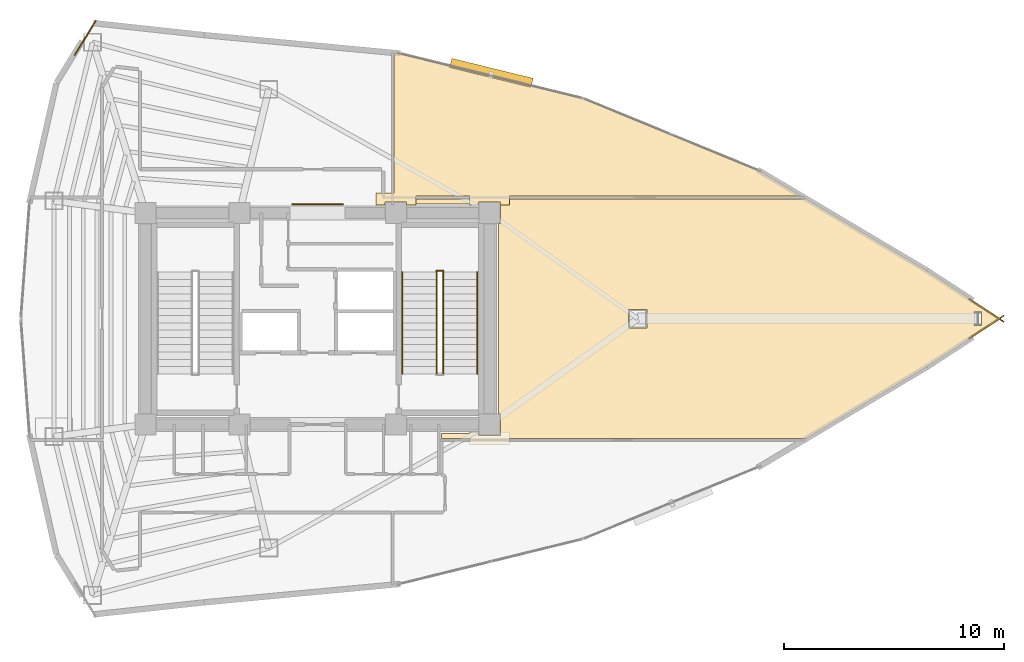
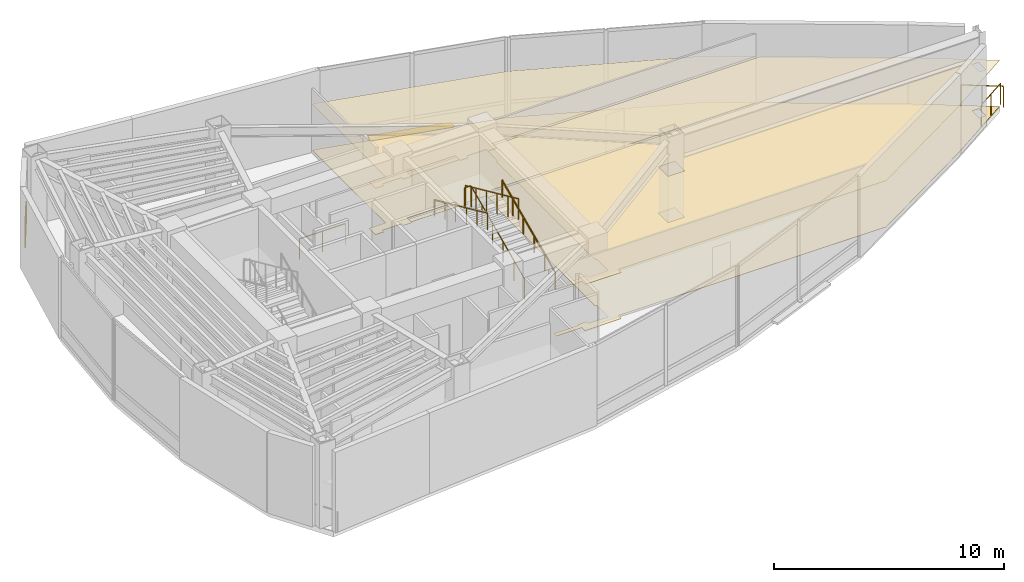
# One storey, part 17 of 17: 9 railings, 4 coverings, 1 shading device.
"""IFC4 building model written with IfcOpenShell, lengths in metres."""

from ifc_helpers import new_model, si_unit, direction, frame, origin, origin_2d, place, context, subcontext, project, spatial, polyline, rectangle, circle, outline, extrude, material, layer, layer_set, type_object, element, save


model = new_model("IFC4")

# Units and contexts
model_context = context("Model", 3, precision=1e-05, world=origin(), true_north=direction((0.0, 1.0)))
body_context = subcontext(model_context, "Body", "Model", "MODEL_VIEW")
ifc_project = project(units=[si_unit("LENGTHUNIT", "METRE"), si_unit("AREAUNIT", "SQUARE_METRE"), si_unit("VOLUMEUNIT", "CUBIC_METRE"), si_unit("PLANEANGLEUNIT", "RADIAN"), si_unit("MASSUNIT", "GRAM", prefix="KILO")], contexts=[model_context])

# Site, building, storey
site_placement = place(None, origin())
site = spatial("IfcSite", under=ifc_project, at=site_placement, CompositionType="ELEMENT")
building_placement = place(site_placement, origin())
building = spatial("IfcBuilding", under=site, at=building_placement, Name="Menara Vayukalpa", CompositionType="ELEMENT")
storey_placement = place(building_placement, frame((0.0, 0.0, 242.639892578125)))
storey = spatial("IfcBuildingStorey", under=building, at=storey_placement, Name="L61", CompositionType="ELEMENT", Elevation=242.639892578125)

# Coverings
ifc_material_1 = material(Name="Mineral Fibre Acoustic Ceiling Tile", Category="masonry")
ifc_layer_1 = layer(ifc_material_1, 0.02490234375)
ifc_layer_set_1 = layer_set([ifc_layer_1], Name="Mineral Fibre Acoustic Ceiling Tile")
covering_type_1 = type_object("IfcCoveringType", Name="COV-CLG1", PredefinedType="CEILING", material=ifc_layer_set_1)
covering_1_placement = place(storey_placement, frame((0.0, 0.0, 2.4501953125)))
element("IfcCovering", 1, at=covering_1_placement, inside=storey, type_object=covering_type_1, Name="L61 Sky Cafe and Refreshment Bar Acoustic Ceiling", PredefinedType="CEILING", context=body_context, shape_type="SweptSolid", body=[
    extrude(outline(polyline([(31.218994140625, 16.56005859375), (31.218017578125, 16.560302734375), (31.217041015625, 16.560302734375), (31.21630859375, 16.560791015625), (31.21533203125, 16.561279296875), (31.21435546875, 16.561767578125), (31.213623046875, 16.562255859375), (31.212890625, 16.56298828125), (31.21240234375, 16.563720703125), (31.211669921875, 16.564453125), (31.211181640625, 16.565185546875), (31.210693359375, 16.566162109375), (31.21044921875, 16.567138671875), (31.210205078125, 16.568115234375), (31.2099609375, 16.569091796875), (31.2099609375, 16.570068359375), (31.2099609375, 16.780029296875), (31.2099609375, 16.781005859375), (31.210205078125, 16.781982421875), (31.21044921875, 16.782958984375), (31.210693359375, 16.78369140625), (31.211181640625, 16.78466796875), (31.211669921875, 16.78564453125), (31.21240234375, 16.786376953125), (31.212890625, 16.787109375), (31.213623046875, 16.78759765625), (31.21435546875, 16.788330078125), (31.21533203125, 16.788818359375), (31.21630859375, 16.789306640625), (31.217041015625, 16.78955078125), (31.218017578125, 16.789794921875), (31.218994140625, 16.7900390625), (31.219970703125, 16.7900390625), (32.489990234375, 16.7900390625), (32.489990234375, 16.85009765625), (32.909912109375, 16.85009765625), (32.909912109375, 16.7099609375), (33.889892578125, 16.7099609375), (33.889892578125, 17.68994140625), (33.81005859375, 17.68994140625), (33.81005859375, 26.31005859375), (33.889892578125, 26.31005859375), (33.889892578125, 27.2900390625), (32.909912109375, 27.2900390625), (32.909912109375, 27.14990234375), (32.489990234375, 27.14990234375), (32.489990234375, 27.2099609375), (30.06005859375, 27.2099609375), (30.06005859375, 27.14990234375), (29.639892578125, 27.14990234375), (29.639892578125, 27.2900390625), (28.659912109375, 27.2900390625), (28.659912109375, 27.14990234375), (28.239990234375, 27.14990234375), (28.239990234375, 27.7099609375), (30.06005859375, 27.7099609375), (30.06005859375, 27.43994140625), (32.489990234375, 27.43994140625), (32.489990234375, 27.7099609375), (34.31005859375, 27.7099609375), (34.31005859375, 27.43994140625), (47.7041015625, 27.43994140625), (47.710205078125, 27.440185546875), (47.7158203125, 27.441162109375), (47.7216796875, 27.442626953125), (47.72705078125, 27.444580078125), (47.732421875, 27.447021484375), (47.738037109375, 27.450439453125), (47.738525390625, 27.45068359375), (47.73876953125, 27.45068359375), (47.73974609375, 27.451171875), (47.74072265625, 27.45166015625), (47.74169921875, 27.451904296875), (47.74267578125, 27.451904296875), (47.74365234375, 27.451904296875), (47.74462890625, 27.451904296875), (47.74560546875, 27.45166015625), (47.74658203125, 27.451416015625), (47.74755859375, 27.450927734375), (47.748291015625, 27.450439453125), (53.258056640625, 24.175537109375), (53.25830078125, 24.17529296875), (56.583740234375, 22.00830078125), (56.58447265625, 22.0078125), (56.585205078125, 22.007080078125), (56.5859375, 22.00634765625), (56.58642578125, 22.005615234375), (56.5869140625, 22.0048828125), (56.58740234375, 22.00390625), (56.587890625, 22.0029296875), (56.587890625, 22.001953125), (56.588134765625, 22.0009765625), (56.588134765625, 22.0), (56.588134765625, 21.9990234375), (56.587890625, 21.998046875), (56.587890625, 21.9970703125), (56.58740234375, 21.99609375), (56.5869140625, 21.9951171875), (56.58642578125, 21.994384765625), (56.5859375, 21.99365234375), (56.585205078125, 21.992919921875), (56.58447265625, 21.9921875), (56.583740234375, 21.99169921875), (53.25830078125, 19.82470703125), (53.258056640625, 19.824462890625), (47.748291015625, 16.549560546875), (47.74755859375, 16.549072265625), (47.74658203125, 16.548583984375), (47.74560546875, 16.54833984375), (47.74462890625, 16.548095703125), (47.74365234375, 16.548095703125), (47.74267578125, 16.548095703125), (47.74169921875, 16.548095703125), (47.74072265625, 16.54833984375), (47.73974609375, 16.548828125), (47.73876953125, 16.54931640625), (47.738525390625, 16.54931640625), (47.738037109375, 16.549560546875), (47.732421875, 16.552978515625), (47.72705078125, 16.555419921875), (47.7216796875, 16.557373046875), (47.7158203125, 16.558837890625), (47.710205078125, 16.559814453125), (47.7041015625, 16.56005859375), (34.31005859375, 16.56005859375), (34.31005859375, 16.2900390625), (32.489990234375, 16.2900390625), (32.489990234375, 16.56005859375), (31.219970703125, 16.56005859375), (31.218994140625, 16.56005859375)]), holes=[polyline([(40.536865234375, 22.4150390625), (39.706787109375, 22.4150390625), (39.706787109375, 21.5849609375), (40.536865234375, 21.5849609375), (40.536865234375, 22.4150390625)]), polyline([(55.729736328125, 22.30908203125), (55.39990234375, 22.30908203125), (55.39990234375, 21.69091796875), (55.729736328125, 21.69091796875), (55.729736328125, 22.30908203125)])]), origin(), (0.0, 0.0, 1.0), 0.02490234375),
])
covering_2_placement = place(storey_placement, frame((0.0, 0.0, 2.4501953125)))
element("IfcCovering", 2, at=covering_2_placement, inside=storey, type_object=covering_type_1, Name="L61 Executive Observation Briefing Room Acoustic Ceiling", PredefinedType="CEILING", context=body_context, shape_type="SweptSolid", body=[
    extrude(outline(polyline([(29.06005859375, 34.046875), (29.06005859375, 34.0478515625), (29.060302734375, 34.048583984375), (29.060302734375, 34.0498046875), (29.060791015625, 34.050537109375), (29.061279296875, 34.051513671875), (29.061767578125, 34.05224609375), (29.062255859375, 34.052978515625), (29.06298828125, 34.053955078125), (29.063720703125, 34.054443359375), (29.064453125, 34.05517578125), (29.065185546875, 34.0556640625), (29.066162109375, 34.055908203125), (29.067138671875, 34.056396484375), (29.068115234375, 34.056640625), (29.069091796875, 34.056640625), (29.070068359375, 34.056884765625), (29.07080078125, 34.056884765625), (29.248291015625, 34.0400390625), (29.249755859375, 34.039794921875), (37.652099609375, 31.982666015625), (37.65283203125, 31.982421875), (37.653564453125, 31.982177734375), (45.655029296875, 28.694580078125), (45.656494140625, 28.694091796875), (47.532958984375, 27.57861328125), (47.53369140625, 27.578125), (47.534423828125, 27.577392578125), (47.53515625, 27.576904296875), (47.535888671875, 27.575927734375), (47.536376953125, 27.5751953125), (47.536865234375, 27.574462890625), (47.537109375, 27.573486328125), (47.53759765625, 27.572509765625), (47.53759765625, 27.57177734375), (47.537841796875, 27.57080078125), (47.537841796875, 27.569580078125), (47.53759765625, 27.56884765625), (47.53759765625, 27.56787109375), (47.537353515625, 27.56689453125), (47.537109375, 27.56591796875), (47.53662109375, 27.565185546875), (47.535888671875, 27.564208984375), (47.535400390625, 27.5634765625), (47.534912109375, 27.562744140625), (47.5341796875, 27.562255859375), (47.533203125, 27.5615234375), (47.532470703125, 27.56103515625), (47.531494140625, 27.560791015625), (47.53076171875, 27.560302734375), (47.52978515625, 27.560302734375), (47.52880859375, 27.56005859375), (47.52783203125, 27.56005859375), (34.31005859375, 27.56005859375), (34.31005859375, 27.14990234375), (33.889892578125, 27.14990234375), (33.889892578125, 27.2900390625), (32.909912109375, 27.2900390625), (32.909912109375, 27.14990234375), (32.489990234375, 27.14990234375), (32.489990234375, 27.56005859375), (30.06005859375, 27.56005859375), (30.06005859375, 27.14990234375), (29.639892578125, 27.14990234375), (29.639892578125, 27.2900390625), (28.659912109375, 27.2900390625), (28.659912109375, 27.14990234375), (28.239990234375, 27.14990234375), (28.239990234375, 27.7099609375), (29.06005859375, 27.7099609375), (29.06005859375, 34.046875)])), origin(), (0.0, 0.0, 1.0), 0.02490234375),
])
ifc_material_2 = material(Name="Porcelain Stoneware Floor Tile", Category="masonry")
ifc_layer_2 = layer(ifc_material_2, 0.02001953125)
ifc_layer_set_2 = layer_set([ifc_layer_2], Name="Porcelain Stoneware Floor Tile")
covering_type_2 = type_object("IfcCoveringType", Name="COV-FLR1", PredefinedType="FLOORING", material=ifc_layer_set_2)
covering_3_placement = place(storey_placement, origin())
element("IfcCovering", 3, at=covering_3_placement, inside=storey, type_object=covering_type_2, Name="L61 Sky Cafe and Refreshment Bar Porcelain Flooring", PredefinedType="FLOORING", context=body_context, shape_type="SweptSolid", body=[
    extrude(outline(polyline([(31.218994140625, 16.56005859375), (31.218017578125, 16.560302734375), (31.217041015625, 16.560302734375), (31.21630859375, 16.560791015625), (31.21533203125, 16.561279296875), (31.21435546875, 16.561767578125), (31.213623046875, 16.562255859375), (31.212890625, 16.56298828125), (31.21240234375, 16.563720703125), (31.211669921875, 16.564453125), (31.211181640625, 16.565185546875), (31.210693359375, 16.566162109375), (31.21044921875, 16.567138671875), (31.210205078125, 16.568115234375), (31.2099609375, 16.569091796875), (31.2099609375, 16.570068359375), (31.2099609375, 16.780029296875), (31.2099609375, 16.781005859375), (31.210205078125, 16.781982421875), (31.21044921875, 16.782958984375), (31.210693359375, 16.78369140625), (31.211181640625, 16.78466796875), (31.211669921875, 16.78564453125), (31.21240234375, 16.786376953125), (31.212890625, 16.787109375), (31.213623046875, 16.78759765625), (31.21435546875, 16.788330078125), (31.21533203125, 16.788818359375), (31.21630859375, 16.789306640625), (31.217041015625, 16.78955078125), (31.218017578125, 16.789794921875), (31.218994140625, 16.7900390625), (31.219970703125, 16.7900390625), (32.489990234375, 16.7900390625), (32.489990234375, 16.85009765625), (32.909912109375, 16.85009765625), (32.909912109375, 16.7099609375), (33.889892578125, 16.7099609375), (33.889892578125, 17.68994140625), (33.81005859375, 17.68994140625), (33.81005859375, 26.31005859375), (33.889892578125, 26.31005859375), (33.889892578125, 27.2900390625), (32.909912109375, 27.2900390625), (32.909912109375, 27.14990234375), (32.489990234375, 27.14990234375), (32.489990234375, 27.2099609375), (30.06005859375, 27.2099609375), (30.06005859375, 27.14990234375), (29.639892578125, 27.14990234375), (29.639892578125, 27.2900390625), (28.659912109375, 27.2900390625), (28.659912109375, 27.14990234375), (28.239990234375, 27.14990234375), (28.239990234375, 27.7099609375), (30.06005859375, 27.7099609375), (30.06005859375, 27.43994140625), (32.489990234375, 27.43994140625), (32.489990234375, 27.7099609375), (34.31005859375, 27.7099609375), (34.31005859375, 27.43994140625), (47.7041015625, 27.43994140625), (47.710205078125, 27.440185546875), (47.7158203125, 27.441162109375), (47.7216796875, 27.442626953125), (47.72705078125, 27.444580078125), (47.732421875, 27.447021484375), (47.738037109375, 27.450439453125), (47.738525390625, 27.45068359375), (47.73876953125, 27.45068359375), (47.73974609375, 27.451171875), (47.74072265625, 27.45166015625), (47.74169921875, 27.451904296875), (47.74267578125, 27.451904296875), (47.74365234375, 27.451904296875), (47.74462890625, 27.451904296875), (47.74560546875, 27.45166015625), (47.74658203125, 27.451416015625), (47.74755859375, 27.450927734375), (47.748291015625, 27.450439453125), (53.258056640625, 24.175537109375), (53.25830078125, 24.17529296875), (56.583740234375, 22.00830078125), (56.58447265625, 22.0078125), (56.585205078125, 22.007080078125), (56.5859375, 22.00634765625), (56.58642578125, 22.005615234375), (56.5869140625, 22.0048828125), (56.58740234375, 22.00390625), (56.587890625, 22.0029296875), (56.587890625, 22.001953125), (56.588134765625, 22.0009765625), (56.588134765625, 22.0), (56.588134765625, 21.9990234375), (56.587890625, 21.998046875), (56.587890625, 21.9970703125), (56.58740234375, 21.99609375), (56.5869140625, 21.9951171875), (56.58642578125, 21.994384765625), (56.5859375, 21.99365234375), (56.585205078125, 21.992919921875), (56.58447265625, 21.9921875), (56.583740234375, 21.99169921875), (53.25830078125, 19.82470703125), (53.258056640625, 19.824462890625), (47.748291015625, 16.549560546875), (47.74755859375, 16.549072265625), (47.74658203125, 16.548583984375), (47.74560546875, 16.54833984375), (47.74462890625, 16.548095703125), (47.74365234375, 16.548095703125), (47.74267578125, 16.548095703125), (47.74169921875, 16.548095703125), (47.74072265625, 16.54833984375), (47.73974609375, 16.548828125), (47.73876953125, 16.54931640625), (47.738525390625, 16.54931640625), (47.738037109375, 16.549560546875), (47.732421875, 16.552978515625), (47.72705078125, 16.555419921875), (47.7216796875, 16.557373046875), (47.7158203125, 16.558837890625), (47.710205078125, 16.559814453125), (47.7041015625, 16.56005859375), (34.31005859375, 16.56005859375), (34.31005859375, 16.2900390625), (32.489990234375, 16.2900390625), (32.489990234375, 16.56005859375), (31.219970703125, 16.56005859375), (31.218994140625, 16.56005859375)]), holes=[polyline([(40.536865234375, 22.4150390625), (39.706787109375, 22.4150390625), (39.706787109375, 21.5849609375), (40.536865234375, 21.5849609375), (40.536865234375, 22.4150390625)]), polyline([(55.729736328125, 22.30908203125), (55.39990234375, 22.30908203125), (55.39990234375, 21.69091796875), (55.729736328125, 21.69091796875), (55.729736328125, 22.30908203125)])]), origin(), (0.0, 0.0, 1.0), 0.02001953125),
])
covering_4_placement = place(storey_placement, origin())
element("IfcCovering", 4, at=covering_4_placement, inside=storey, type_object=covering_type_2, Name="L61 Executive Observation Briefing Room Porcelain Flooring", PredefinedType="FLOORING", context=body_context, shape_type="SweptSolid", body=[
    extrude(outline(polyline([(29.06005859375, 34.046875), (29.06005859375, 34.0478515625), (29.060302734375, 34.048583984375), (29.060302734375, 34.0498046875), (29.060791015625, 34.050537109375), (29.061279296875, 34.051513671875), (29.061767578125, 34.05224609375), (29.062255859375, 34.052978515625), (29.06298828125, 34.053955078125), (29.063720703125, 34.054443359375), (29.064453125, 34.05517578125), (29.065185546875, 34.0556640625), (29.066162109375, 34.055908203125), (29.067138671875, 34.056396484375), (29.068115234375, 34.056640625), (29.069091796875, 34.056640625), (29.070068359375, 34.056884765625), (29.07080078125, 34.056884765625), (29.248291015625, 34.0400390625), (29.249755859375, 34.039794921875), (37.652099609375, 31.982666015625), (37.65283203125, 31.982421875), (37.653564453125, 31.982177734375), (45.655029296875, 28.694580078125), (45.656494140625, 28.694091796875), (47.532958984375, 27.57861328125), (47.53369140625, 27.578125), (47.534423828125, 27.577392578125), (47.53515625, 27.576904296875), (47.535888671875, 27.575927734375), (47.536376953125, 27.5751953125), (47.536865234375, 27.574462890625), (47.537109375, 27.573486328125), (47.53759765625, 27.572509765625), (47.53759765625, 27.57177734375), (47.537841796875, 27.57080078125), (47.537841796875, 27.569580078125), (47.53759765625, 27.56884765625), (47.53759765625, 27.56787109375), (47.537353515625, 27.56689453125), (47.537109375, 27.56591796875), (47.53662109375, 27.565185546875), (47.535888671875, 27.564208984375), (47.535400390625, 27.5634765625), (47.534912109375, 27.562744140625), (47.5341796875, 27.562255859375), (47.533203125, 27.5615234375), (47.532470703125, 27.56103515625), (47.531494140625, 27.560791015625), (47.53076171875, 27.560302734375), (47.52978515625, 27.560302734375), (47.52880859375, 27.56005859375), (47.52783203125, 27.56005859375), (34.31005859375, 27.56005859375), (34.31005859375, 27.14990234375), (33.889892578125, 27.14990234375), (33.889892578125, 27.2900390625), (32.909912109375, 27.2900390625), (32.909912109375, 27.14990234375), (32.489990234375, 27.14990234375), (32.489990234375, 27.56005859375), (30.06005859375, 27.56005859375), (30.06005859375, 27.14990234375), (29.639892578125, 27.14990234375), (29.639892578125, 27.2900390625), (28.659912109375, 27.2900390625), (28.659912109375, 27.14990234375), (28.239990234375, 27.14990234375), (28.239990234375, 27.7099609375), (29.06005859375, 27.7099609375), (29.06005859375, 34.046875)])), origin(), (0.0, 0.0, 1.0), 0.02001953125),
])

# Railings
ifc_material_3 = material(Name="Laminated Glass Interior Balustrade", Category="glass")
railing_type_1 = type_object("IfcRailingType", Name="RLG-BAL110", PredefinedType="BALUSTRADE", material=ifc_material_3)
railing_1_placement = place(storey_placement, frame((24.449951171875, 27.199951171875, 0.0)))
element("IfcRailing", 5, at=railing_1_placement, inside=storey, type_object=railing_type_1, Name="L61 Concourse Feature Glass Balustrade", PredefinedType="BALUSTRADE", context=body_context, shape_type="SweptSolid", body=[
    extrude(circle(Radius=0.02392578125, at=origin_2d()), frame((0.0, 0.0, 1.09619140625), z_axis=(1.0, 0.0, 0.0), x_axis=(0.0, 1.0, 0.0)), (0.0, 0.0, 1.0), 2.300048828125),
    extrude(circle(Radius=0.02099609375, at=origin_2d()), origin(), (0.0, 0.0, 1.0), 1.072021484375),
    extrude(circle(Radius=0.02099609375, at=origin_2d()), frame((1.14990234375, 0.0, 0.0)), (0.0, 0.0, 1.0), 1.072021484375),
    extrude(circle(Radius=0.02099609375, at=origin_2d()), frame((2.300048828125, 0.0, 0.0)), (0.0, 0.0, 1.0), 1.072021484375),
])
ifc_material_4 = material(Name="Laminated Glass and Stainless Steel 316 Guardrail", Category="steel")
railing_type_2 = type_object("IfcRailingType", Name="RLG-EXT115", PredefinedType="GUARDRAIL", material=ifc_material_4)
railing_2_placement = place(storey_placement, frame((55.16845703125, 21.1171875, 0.0)))
element("IfcRailing", 6, at=railing_2_placement, inside=storey, type_object=railing_type_2, Name="L61 Column Corner Spandrel Guardrail 01-1", PredefinedType="GUARDRAIL", context=body_context, shape_type="SweptSolid", body=[
    extrude(circle(Radius=0.02392578125, at=origin_2d()), frame((0.0, 0.0, 1.1259765625), z_axis=(0.837859407663, 0.545886080598, 0.0), x_axis=(-0.545886080598, 0.837859407663, 0.0)), (0.0, 0.0, 1.0), 1.853759765625),
    extrude(circle(Radius=0.02099609375, at=origin_2d()), origin(), (0.0, 0.0, 1.0), 1.101806640625),
    extrude(circle(Radius=0.02099609375, at=origin_2d()), frame((0.776611328125, 0.505859375, 0.0)), (0.0, 0.0, 1.0), 1.101806640625),
    extrude(circle(Radius=0.02099609375, at=origin_2d()), frame((1.55322265625, 1.011962890625, 0.0)), (0.0, 0.0, 1.0), 1.101806640625),
])
railing_3_placement = place(storey_placement, frame((56.7216796875, 21.870849609375, 0.0)))
element("IfcRailing", 7, at=railing_3_placement, inside=storey, type_object=railing_type_2, Name="L61 Column Corner Spandrel Guardrail 02-1", PredefinedType="GUARDRAIL", context=body_context, shape_type="SweptSolid", body=[
    extrude(circle(Radius=0.02392578125, at=origin_2d()), frame((0.0, 0.0, 1.1259765625), z_axis=(-0.837859407663, 0.545886080598, 0.0), x_axis=(-0.545886080598, -0.837859407663, 0.0)), (0.0, 0.0, 1.0), 1.853759765625),
    extrude(circle(Radius=0.02099609375, at=origin_2d()), origin(), (0.0, 0.0, 1.0), 1.101806640625),
    extrude(circle(Radius=0.02099609375, at=origin_2d()), frame((-0.776611328125, 0.505859375, 0.0)), (0.0, 0.0, 1.0), 1.101806640625),
    extrude(circle(Radius=0.02099609375, at=origin_2d()), frame((-1.55322265625, 1.011962890625, 0.0)), (0.0, 0.0, 1.0), 1.101806640625),
])
railing_4_placement = place(storey_placement, frame((15.5439453125, 35.533447265625, 0.0)))
element("IfcRailing", 8, at=railing_4_placement, inside=storey, type_object=railing_type_2, Name="L61 Column Corner Spandrel Guardrail 08-1", PredefinedType="GUARDRAIL", context=body_context, shape_type="SweptSolid", body=[
    extrude(circle(Radius=0.02392578125, at=origin_2d()), frame((0.0, 0.0, 1.1259765625), z_axis=(-0.523173618921, -0.852226122848, 0.0), x_axis=(0.852226122848, -0.523173618921, 0.0)), (0.0, 0.0, 1.0), 1.84375),
    extrude(circle(Radius=0.02099609375, at=origin_2d()), origin(), (0.0, 0.0, 1.0), 1.101806640625),
    extrude(circle(Radius=0.02099609375, at=origin_2d()), frame((-0.482421875, -0.78564453125, 0.0)), (0.0, 0.0, 1.0), 1.101806640625),
    extrude(circle(Radius=0.02099609375, at=origin_2d()), frame((-0.964599609375, -1.5712890625, 0.0)), (0.0, 0.0, 1.0), 1.101806640625),
])
ifc_material_5 = material(Name="Powder-Coated Galvanised Steel Guardrail", Category="steel")
railing_type_3 = type_object("IfcRailingType", Name="RLG-STG110", PredefinedType="GUARDRAIL", material=ifc_material_5)
railing_5_placement = place(storey_placement, frame((31.300048828125, 19.5, 0.150146484375)))
element("IfcRailing", 9, at=railing_5_placement, inside=storey, type_object=railing_type_3, Name="L61 ST-2 stair guard 1", PredefinedType="GUARDRAIL", context=body_context, shape_type="SweptSolid", body=[
    extrude(circle(Radius=0.02392578125, at=origin_2d()), frame((0.0, 0.0, 1.09619140625), z_axis=(0.0, 0.91038130445, 0.413770323377), x_axis=(-1.0, 0.0, 0.0)), (0.0, 0.0, 1.0), 5.074951171875),
    extrude(circle(Radius=0.02099609375, at=origin_2d()), origin(), (0.0, 0.0, 1.0), 1.072021484375),
    extrude(circle(Radius=0.02099609375, at=origin_2d()), frame((0.0, 0.924072265625, 0.419921875)), (0.0, 0.0, 1.0), 1.072021484375),
    extrude(circle(Radius=0.02099609375, at=origin_2d()), frame((0.0, 1.84814453125, 0.83984375)), (0.0, 0.0, 1.0), 1.072021484375),
    extrude(circle(Radius=0.02099609375, at=origin_2d()), frame((0.0, 2.77197265625, 1.260009765625)), (0.0, 0.0, 1.0), 1.072021484375),
    extrude(circle(Radius=0.02099609375, at=origin_2d()), frame((0.0, 3.696044921875, 1.679931640625)), (0.0, 0.0, 1.0), 1.072021484375),
    extrude(circle(Radius=0.02099609375, at=origin_2d()), frame((0.0, 4.6201171875, 2.099853515625)), (0.0, 0.0, 1.0), 1.072021484375),
])
railing_6_placement = place(storey_placement, frame((31.31005859375, 24.169921875, 2.25)))
element("IfcRailing", 10, at=railing_6_placement, inside=storey, type_object=railing_type_3, Name="L61 ST-2 stair guard 2", PredefinedType="GUARDRAIL", context=body_context, shape_type="SweptSolid", body=[
    extrude(circle(Radius=0.02392578125, at=origin_2d()), frame((0.0, 0.0, 1.09619140625), z_axis=(-1.0, 0.0, 0.0), x_axis=(0.0, -1.0, 0.0)), (0.0, 0.0, 1.0), 0.320068359375),
    extrude(circle(Radius=0.02099609375, at=origin_2d()), origin(), (0.0, 0.0, 1.0), 1.072021484375),
    extrude(circle(Radius=0.02099609375, at=origin_2d()), frame((-0.320068359375, 0.0, 0.0)), (0.0, 0.0, 1.0), 1.072021484375),
])
railing_7_placement = place(storey_placement, frame((31.0, 24.1201171875, 2.400146484375)))
element("IfcRailing", 11, at=railing_7_placement, inside=storey, type_object=railing_type_3, Name="L61 ST-2 stair guard 3", PredefinedType="GUARDRAIL", context=body_context, shape_type="SweptSolid", body=[
    extrude(circle(Radius=0.02392578125, at=origin_2d()), frame((0.0, 0.0, 1.09619140625), z_axis=(0.0, -0.91038130445, 0.413770323377), x_axis=(1.0, 0.0, 0.0)), (0.0, 0.0, 1.0), 5.074951171875),
    extrude(circle(Radius=0.02099609375, at=origin_2d()), origin(), (0.0, 0.0, 1.0), 1.072021484375),
    extrude(circle(Radius=0.02099609375, at=origin_2d()), frame((0.0, -0.924072265625, 0.419921875)), (0.0, 0.0, 1.0), 1.072021484375),
    extrude(circle(Radius=0.02099609375, at=origin_2d()), frame((0.0, -1.84814453125, 0.83984375)), (0.0, 0.0, 1.0), 1.072021484375),
    extrude(circle(Radius=0.02099609375, at=origin_2d()), frame((0.0, -2.77197265625, 1.260009765625)), (0.0, 0.0, 1.0), 1.072021484375),
    extrude(circle(Radius=0.02099609375, at=origin_2d()), frame((0.0, -3.696044921875, 1.679931640625)), (0.0, 0.0, 1.0), 1.072021484375),
    extrude(circle(Radius=0.02099609375, at=origin_2d()), frame((0.0, -4.6201171875, 2.099853515625)), (0.0, 0.0, 1.0), 1.072021484375),
])
ifc_material_6 = material(Name="Stainless Steel 316 Tubular Handrail", Category="steel")
railing_type_4 = type_object("IfcRailingType", Name="RLG-STH090", PredefinedType="HANDRAIL", material=ifc_material_6)
railing_8_placement = place(storey_placement, frame((32.85009765625, 19.5, 0.150146484375)))
element("IfcRailing", 12, at=railing_8_placement, inside=storey, type_object=railing_type_4, Name="L61 ST-2 stair handrail 1", PredefinedType="HANDRAIL", context=body_context, shape_type="SweptSolid", body=[
    extrude(circle(Radius=0.02392578125, at=origin_2d()), frame((0.0, 0.0, 0.8759765625), z_axis=(0.0, 0.91038130445, 0.413770323377), x_axis=(-1.0, 0.0, 0.0)), (0.0, 0.0, 1.0), 5.074951171875),
    extrude(circle(Radius=0.02099609375, at=origin_2d()), origin(), (0.0, 0.0, 1.0), 0.851806640625),
    extrude(circle(Radius=0.02099609375, at=origin_2d()), frame((0.0, 0.924072265625, 0.419921875)), (0.0, 0.0, 1.0), 0.851806640625),
    extrude(circle(Radius=0.02099609375, at=origin_2d()), frame((0.0, 1.84814453125, 0.83984375)), (0.0, 0.0, 1.0), 0.851806640625),
    extrude(circle(Radius=0.02099609375, at=origin_2d()), frame((0.0, 2.77197265625, 1.260009765625)), (0.0, 0.0, 1.0), 0.851806640625),
    extrude(circle(Radius=0.02099609375, at=origin_2d()), frame((0.0, 3.696044921875, 1.679931640625)), (0.0, 0.0, 1.0), 0.851806640625),
    extrude(circle(Radius=0.02099609375, at=origin_2d()), frame((0.0, 4.6201171875, 2.099853515625)), (0.0, 0.0, 1.0), 0.851806640625),
])
railing_9_placement = place(storey_placement, frame((29.449951171875, 24.1201171875, 2.400146484375)))
element("IfcRailing", 13, at=railing_9_placement, inside=storey, type_object=railing_type_4, Name="L61 ST-2 stair handrail 2", PredefinedType="HANDRAIL", context=body_context, shape_type="SweptSolid", body=[
    extrude(circle(Radius=0.02392578125, at=origin_2d()), frame((0.0, 0.0, 0.8759765625), z_axis=(0.0, -0.91038130445, 0.413770323377), x_axis=(1.0, 0.0, 0.0)), (0.0, 0.0, 1.0), 5.074951171875),
    extrude(circle(Radius=0.02099609375, at=origin_2d()), origin(), (0.0, 0.0, 1.0), 0.851806640625),
    extrude(circle(Radius=0.02099609375, at=origin_2d()), frame((0.0, -0.924072265625, 0.419921875)), (0.0, 0.0, 1.0), 0.851806640625),
    extrude(circle(Radius=0.02099609375, at=origin_2d()), frame((0.0, -1.84814453125, 0.83984375)), (0.0, 0.0, 1.0), 0.851806640625),
    extrude(circle(Radius=0.02099609375, at=origin_2d()), frame((0.0, -2.77197265625, 1.260009765625)), (0.0, 0.0, 1.0), 0.851806640625),
    extrude(circle(Radius=0.02099609375, at=origin_2d()), frame((0.0, -3.696044921875, 1.679931640625)), (0.0, 0.0, 1.0), 0.851806640625),
    extrude(circle(Radius=0.02099609375, at=origin_2d()), frame((0.0, -4.6201171875, 2.099853515625)), (0.0, 0.0, 1.0), 0.851806640625),
])

# Shading device
ifc_material_7 = material(Name="Glazed Terracotta Ceramic Baguette Extrusion", Category="masonry")
ifc_layer_3 = layer(ifc_material_7, 0.1201171875)
ifc_layer_set_3 = layer_set([ifc_layer_3], Name="Glazed Terracotta Ceramic Baguette Extrusion")
shading_device_type = type_object("IfcShadingDeviceType", Name="SHD-SS1", PredefinedType="USERDEFINED", material=ifc_layer_set_3)
shading_device_placement = place(storey_placement, frame((33.486572265625, 33.156982421875, -0.099853515625), z_axis=(0.0, 0.0, 1.0), x_axis=(-0.971313023754, 0.237804562373, 0.0)))
element("IfcShadingDevice", 14, at=shading_device_placement, inside=storey, type_object=shading_device_type, Name="L61 Horizontal Terracotta Sunshade Band 05", ObjectType="SUNSHADE", PredefinedType="USERDEFINED", context=body_context, shape_type="SweptSolid", body=[
    extrude(rectangle(XDim=3.800048828125, YDim=0.419921875, at=origin_2d()), origin(), (0.0, 0.0, 1.0), 0.1201171875),
])

save(model, "model.ifc")
